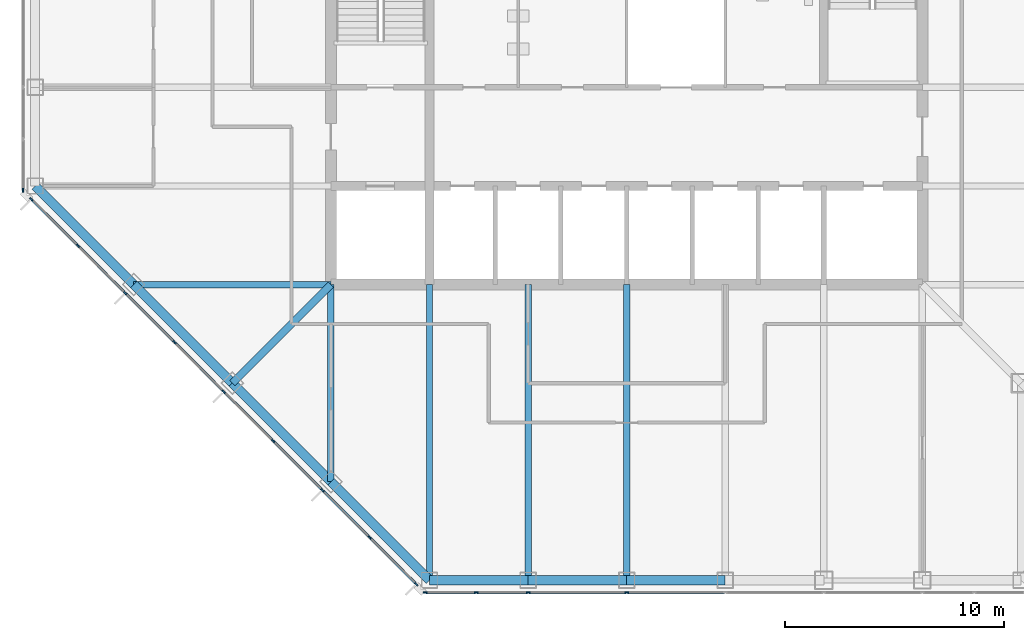
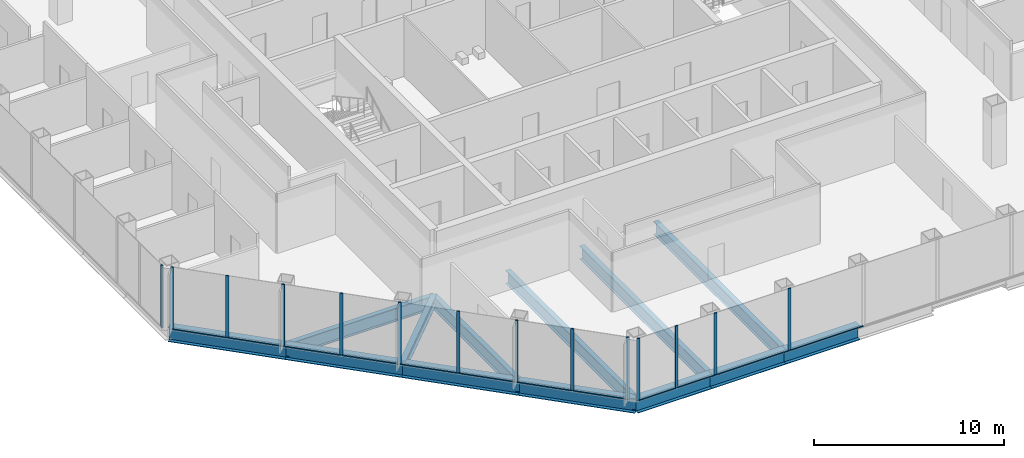
# One storey, part 2 of 13: 26 members, 13 beams, 3 elements without a shape of their own.
"""IFC4 building model written with IfcOpenShell, lengths in metres."""

from ifc_helpers import new_model, si_unit, direction, frame, origin, origin_2d, place, context, subcontext, project, spatial, rectangle, i_section, extrude, material, material_profile, profile_set, type_object, element, aggregate, save


model = new_model("IFC4")

# Units and contexts
model_context = context("Model", 3, precision=1e-05, world=origin(), true_north=direction((0.0, 1.0)))
body_context = subcontext(model_context, "Body", "Model", "MODEL_VIEW")
ifc_project = project(units=[si_unit("LENGTHUNIT", "METRE"), si_unit("AREAUNIT", "SQUARE_METRE"), si_unit("VOLUMEUNIT", "CUBIC_METRE"), si_unit("PLANEANGLEUNIT", "RADIAN"), si_unit("MASSUNIT", "GRAM", prefix="KILO")], contexts=[model_context])

# Site, building, storey
site_placement = place(None, origin())
site = spatial("IfcSite", under=ifc_project, at=site_placement, CompositionType="ELEMENT")
building_placement = place(site_placement, origin())
building = spatial("IfcBuilding", under=site, at=building_placement, Name="Corais Broadcast Tower", CompositionType="ELEMENT")
storey_placement = place(building_placement, frame((0.0, 0.0, 191.60009765625)))
storey = spatial("IfcBuildingStorey", under=building, at=storey_placement, Name="L44", CompositionType="ELEMENT", Elevation=191.60009765625)

# Beams
ifc_material_1 = material(Name="Steel ASTM A572 Grade 50", Category="steel")
ifc_material_profile_1 = material_profile(ifc_material_1, i_section(OverallWidth=0.323974609375, OverallDepth=0.611083984375, WebThickness=0.0126953125, FlangeThickness=0.01904296875, at=origin_2d()), Name="W610x155")
ifc_profile_set_1 = profile_set([ifc_material_profile_1], Name="Steel ASTM A572 Grade 50")
beam_type_1 = type_object("IfcBeamType", Name="Corner diagonal W610x155", PredefinedType="BEAM", material=ifc_profile_set_1)
beam_1_placement = place(storey_placement, frame((9.0, 9.0, -0.465576171875), z_axis=(0.707106781187, 0.707106781187, 0.0), x_axis=(-0.707106781187, 0.707106781187, 0.0)))
element("IfcBeam", 1, at=beam_1_placement, inside=storey, type_object=beam_type_1, Name="B6 C/5 to D/6", PredefinedType="BEAM", context=body_context, shape_type="SweptSolid", body=[
    extrude(i_section(OverallWidth=0.323974609375, OverallDepth=0.611083984375, WebThickness=0.0126953125, FlangeThickness=0.01904296875, at=origin_2d()), origin(), (0.0, 0.0, 1.0), 6.364013671875),
])
ifc_material_2 = material(Name="Steel ASTM A572 Grade 50", Category="steel")
ifc_material_profile_2 = material_profile(ifc_material_2, i_section(OverallWidth=0.2939453125, OverallDepth=0.85107421875, WebThickness=0.01611328125, FlangeThickness=0.02685546875, at=origin_2d()), Name="W840x226")
ifc_profile_set_2 = profile_set([ifc_material_profile_2], Name="Steel ASTM A572 Grade 50")
beam_type_2 = type_object("IfcBeamType", Name="Floor beam W840x226", PredefinedType="BEAM", material=ifc_profile_set_2)
beam_2_placement = place(storey_placement, frame((13.5, 4.5, -0.585693359375), z_axis=(0.0, 1.0, 0.0), x_axis=(-1.0, 0.0, 0.0)))
element("IfcBeam", 2, at=beam_2_placement, inside=storey, type_object=beam_type_2, Name="B1 B/6 to D/6", PredefinedType="BEAM", context=body_context, shape_type="SweptSolid", body=[
    extrude(i_section(OverallWidth=0.2939453125, OverallDepth=0.85107421875, WebThickness=0.01611328125, FlangeThickness=0.02685546875, at=origin_2d()), origin(), (0.0, 0.0, 1.0), 9.0),
])
for number, where, z_axis, x_axis, name in (
    (3, (18.0, 0.0, -0.585693359375), (0.0, 1.0, 0.0), (-1.0, 0.0, 0.0), "B1 A/7 to D/7"),
    (4, (22.5, 0.0, -0.585693359375), (0.0, 1.0, 0.0), (-1.0, 0.0, 0.0), "B1 A/8 to D/8"),
    (5, (27.0, 0.0, -0.585693359375), (0.0, 1.0, 0.0), (-1.0, 0.0, 0.0), "B1 A/9 to D/9"),
):
    element("IfcBeam", number, at=place(storey_placement, frame(where, z_axis=z_axis, x_axis=x_axis)), inside=storey, type_object=beam_type_2, Name=name, PredefinedType="BEAM", context=body_context, shape_type="SweptSolid", body=[
        extrude(i_section(OverallWidth=0.2939453125, OverallDepth=0.85107421875, WebThickness=0.01611328125, FlangeThickness=0.02685546875, at=origin_2d()), origin(), (0.0, 0.0, 1.0), 13.5),
    ])
beam_3_placement = place(storey_placement, frame((4.5, 13.5, -0.585693359375), z_axis=(1.0, 0.0, 0.0), x_axis=(0.0, 1.0, 0.0)))
element("IfcBeam", 6, at=beam_3_placement, inside=storey, type_object=beam_type_2, Name="B1 D/4 to D/6", PredefinedType="BEAM", context=body_context, shape_type="SweptSolid", body=[
    extrude(i_section(OverallWidth=0.2939453125, OverallDepth=0.85107421875, WebThickness=0.01611328125, FlangeThickness=0.02685546875, at=origin_2d()), origin(), (0.0, 0.0, 1.0), 9.0),
])

# Curtain wall, members
ifc_material_3 = material(Name="Aluminium and glass", Category="aluminium")
curtain_wall_type = type_object("IfcCurtainWallType", Name="Unitised fritted curtain wall CW2", PredefinedType="NOTDEFINED", material=ifc_material_3)
curtain_wall_1_placement = place(storey_placement, origin())
curtain_wall_1 = element("IfcCurtainWall", 7, at=curtain_wall_1_placement, inside=storey, type_object=curtain_wall_type, Name="CW2 curtain wall L44 1", PredefinedType="NOTDEFINED")
ifc_material_4 = material(Name="Aluminium 6063-T6", Category="aluminium")
ifc_material_profile_3 = material_profile(ifc_material_4, rectangle(XDim=0.06494140625, YDim=0.179931640625, at=origin_2d()), Name="Mullion CW2 65x180")
ifc_profile_set_3 = profile_set([ifc_material_profile_3], Name="Aluminium 6063-T6")
member_type_1 = type_object("IfcMemberType", Name="Mullion CW2 65x180", PredefinedType="MULLION", material=ifc_profile_set_3)
member_1_placement = place(storey_placement, frame((17.3955078125, -0.17333984375, 0.0), z_axis=(0.0, 0.0, 1.0), x_axis=(-0.707106781187, -0.707106781187, 0.0)))
member_1 = element("IfcMember", 8, at=member_1_placement, type_object=member_type_1, Name="CW2 mullion 1", PredefinedType="MULLION", context=body_context, shape_type="SweptSolid", body=[
    extrude(rectangle(XDim=0.06494140625, YDim=0.179931640625, at=origin_2d()), origin(), (0.0, 0.0, 1.0), 4.0),
])
member_2_placement = place(storey_placement, frame((15.264892578125, 1.957275390625, 0.0), z_axis=(0.0, 0.0, 1.0), x_axis=(-0.707106781187, -0.707106781187, 0.0)))
member_2 = element("IfcMember", 9, at=member_2_placement, type_object=member_type_1, Name="CW2 mullion 2", PredefinedType="MULLION", context=body_context, shape_type="SweptSolid", body=[
    extrude(rectangle(XDim=0.06494140625, YDim=0.179931640625, at=origin_2d()), origin(), (0.0, 0.0, 1.0), 4.0),
])
member_3_placement = place(storey_placement, frame((13.111083984375, 4.111083984375, 0.0), z_axis=(0.0, 0.0, 1.0), x_axis=(-0.707106781187, -0.707106781187, 0.0)))
member_3 = element("IfcMember", 10, at=member_3_placement, type_object=member_type_1, Name="CW2 mullion 3", PredefinedType="MULLION", context=body_context, shape_type="SweptSolid", body=[
    extrude(rectangle(XDim=0.06494140625, YDim=0.179931640625, at=origin_2d()), origin(), (0.0, 0.0, 1.0), 4.0),
])
member_4_placement = place(storey_placement, frame((10.861083984375, 6.361083984375, 0.0), z_axis=(0.0, 0.0, 1.0), x_axis=(-0.707106781187, -0.707106781187, 0.0)))
member_4 = element("IfcMember", 11, at=member_4_placement, type_object=member_type_1, Name="CW2 mullion 4", PredefinedType="MULLION", context=body_context, shape_type="SweptSolid", body=[
    extrude(rectangle(XDim=0.06494140625, YDim=0.179931640625, at=origin_2d()), origin(), (0.0, 0.0, 1.0), 4.0),
])
member_5_placement = place(storey_placement, frame((8.611083984375, 8.611083984375, 0.0), z_axis=(0.0, 0.0, 1.0), x_axis=(-0.707106781187, -0.707106781187, 0.0)))
member_5 = element("IfcMember", 12, at=member_5_placement, type_object=member_type_1, Name="CW2 mullion 5", PredefinedType="MULLION", context=body_context, shape_type="SweptSolid", body=[
    extrude(rectangle(XDim=0.06494140625, YDim=0.179931640625, at=origin_2d()), origin(), (0.0, 0.0, 1.0), 4.0),
])
member_6_placement = place(storey_placement, frame((6.361083984375, 10.861083984375, 0.0), z_axis=(0.0, 0.0, 1.0), x_axis=(-0.707106781187, -0.707106781187, 0.0)))
member_6 = element("IfcMember", 13, at=member_6_placement, type_object=member_type_1, Name="CW2 mullion 6", PredefinedType="MULLION", context=body_context, shape_type="SweptSolid", body=[
    extrude(rectangle(XDim=0.06494140625, YDim=0.179931640625, at=origin_2d()), origin(), (0.0, 0.0, 1.0), 4.0),
])
member_7_placement = place(storey_placement, frame((4.111083984375, 13.111083984375, 0.0), z_axis=(0.0, 0.0, 1.0), x_axis=(-0.707106781187, -0.707106781187, 0.0)))
member_7 = element("IfcMember", 14, at=member_7_placement, type_object=member_type_1, Name="CW2 mullion 7", PredefinedType="MULLION", context=body_context, shape_type="SweptSolid", body=[
    extrude(rectangle(XDim=0.06494140625, YDim=0.179931640625, at=origin_2d()), origin(), (0.0, 0.0, 1.0), 4.0),
])
member_8_placement = place(storey_placement, frame((1.957275390625, 15.264892578125, 0.0), z_axis=(0.0, 0.0, 1.0), x_axis=(-0.707106781187, -0.707106781187, 0.0)))
member_8 = element("IfcMember", 15, at=member_8_placement, type_object=member_type_1, Name="CW2 mullion 8", PredefinedType="MULLION", context=body_context, shape_type="SweptSolid", body=[
    extrude(rectangle(XDim=0.06494140625, YDim=0.179931640625, at=origin_2d()), origin(), (0.0, 0.0, 1.0), 4.0),
])
member_9_placement = place(storey_placement, frame((-0.17333984375, 17.3955078125, 0.0), z_axis=(0.0, 0.0, 1.0), x_axis=(-0.707106781187, -0.707106781187, 0.0)))
member_9 = element("IfcMember", 16, at=member_9_placement, type_object=member_type_1, Name="CW2 mullion 9", PredefinedType="MULLION", context=body_context, shape_type="SweptSolid", body=[
    extrude(rectangle(XDim=0.06494140625, YDim=0.179931640625, at=origin_2d()), origin(), (0.0, 0.0, 1.0), 4.0),
])

# Curtain wall, member
curtain_wall_2_placement = place(storey_placement, origin())
curtain_wall_2 = element("IfcCurtainWall", 17, at=curtain_wall_2_placement, inside=storey, type_object=curtain_wall_type, Name="CW2 curtain wall L44 2", PredefinedType="NOTDEFINED")
member_10_placement = place(storey_placement, frame((-0.550048828125, 17.8046875, 0.0), z_axis=(0.0, 0.0, 1.0), x_axis=(-1.0, 0.0, 0.0)))
member_10 = element("IfcMember", 18, at=member_10_placement, type_object=member_type_1, Name="CW2 mullion 1", PredefinedType="MULLION", context=body_context, shape_type="SweptSolid", body=[
    extrude(rectangle(XDim=0.06494140625, YDim=0.179931640625, at=origin_2d()), origin(), (0.0, 0.0, 1.0), 4.0),
])
aggregate(curtain_wall_2, [member_10])

# Curtain wall, members
curtain_wall_3_placement = place(storey_placement, origin())
curtain_wall_3 = element("IfcCurtainWall", 19, at=curtain_wall_3_placement, inside=storey, type_object=curtain_wall_type, Name="CW2 curtain wall L44 8", PredefinedType="NOTDEFINED")
member_11_placement = place(storey_placement, frame((27.0, -0.550048828125, 0.0), z_axis=(0.0, 0.0, 1.0), x_axis=(0.0, -1.0, 0.0)))
member_11 = element("IfcMember", 20, at=member_11_placement, type_object=member_type_1, Name="CW2 mullion 6", PredefinedType="MULLION", context=body_context, shape_type="SweptSolid", body=[
    extrude(rectangle(XDim=0.06494140625, YDim=0.179931640625, at=origin_2d()), origin(), (0.0, 0.0, 1.0), 4.0),
])
member_12_placement = place(storey_placement, frame((22.5, -0.550048828125, 0.0), z_axis=(0.0, 0.0, 1.0), x_axis=(0.0, -1.0, 0.0)))
member_12 = element("IfcMember", 21, at=member_12_placement, type_object=member_type_1, Name="CW2 mullion 7", PredefinedType="MULLION", context=body_context, shape_type="SweptSolid", body=[
    extrude(rectangle(XDim=0.06494140625, YDim=0.179931640625, at=origin_2d()), origin(), (0.0, 0.0, 1.0), 4.0),
])
member_13_placement = place(storey_placement, frame((20.135986328125, -0.550048828125, 0.0), z_axis=(0.0, 0.0, 1.0), x_axis=(0.0, -1.0, 0.0)))
member_13 = element("IfcMember", 22, at=member_13_placement, type_object=member_type_1, Name="CW2 mullion 8", PredefinedType="MULLION", context=body_context, shape_type="SweptSolid", body=[
    extrude(rectangle(XDim=0.06494140625, YDim=0.179931640625, at=origin_2d()), origin(), (0.0, 0.0, 1.0), 4.0),
])
member_14_placement = place(storey_placement, frame((17.8046875, -0.550048828125, 0.0), z_axis=(0.0, 0.0, 1.0), x_axis=(0.0, -1.0, 0.0)))
member_14 = element("IfcMember", 23, at=member_14_placement, type_object=member_type_1, Name="CW2 mullion 9", PredefinedType="MULLION", context=body_context, shape_type="SweptSolid", body=[
    extrude(rectangle(XDim=0.06494140625, YDim=0.179931640625, at=origin_2d()), origin(), (0.0, 0.0, 1.0), 4.0),
])

# Beams
ifc_material_5 = material(Name="Steel ASTM A572 Grade 50", Category="steel")
ifc_material_profile_4 = material_profile(ifc_material_5, i_section(OverallWidth=0.4189453125, OverallDepth=0.94189453125, WebThickness=0.022216796875, FlangeThickness=0.03662109375, at=origin_2d()), Name="W920x345")
ifc_profile_set_4 = profile_set([ifc_material_profile_4], Name="Steel ASTM A572 Grade 50")
beam_type_3 = type_object("IfcBeamType", Name="Transfer spandrel W920x345", PredefinedType="BEAM", material=ifc_profile_set_4)
for number, where, z_axis, x_axis, name in (
    (24, (0.0, 18.0, -0.631103515625), (0.707106781187, -0.707106781187, 0.0), (0.707106781187, 0.707106781187, 0.0), "SB4 E/3 to D/4"),
    (25, (13.5, 4.5, -0.631103515625), (0.707106781187, -0.707106781187, 0.0), (0.707106781187, 0.707106781187, 0.0), "SB4 B/6 to A/7"),
):
    element("IfcBeam", number, at=place(storey_placement, frame(where, z_axis=z_axis, x_axis=x_axis)), inside=storey, type_object=beam_type_3, Name=name, PredefinedType="BEAM", context=body_context, shape_type="SweptSolid", body=[
        extrude(i_section(OverallWidth=0.4189453125, OverallDepth=0.94189453125, WebThickness=0.022216796875, FlangeThickness=0.03662109375, at=origin_2d()), origin(), (0.0, 0.0, 1.0), 6.364013671875),
    ])
for number, where, z_axis, x_axis, name in (
    (26, (18.0, 0.0, -0.631103515625), (1.0, 0.0, 0.0), (0.0, 1.0, 0.0), "SB4 A/7 to A/8"),
    (27, (22.5, 0.0, -0.631103515625), (1.0, 0.0, 0.0), (0.0, 1.0, 0.0), "SB4 A/8 to A/9"),
    (28, (27.0, 0.0, -0.631103515625), (1.0, 0.0, 0.0), (0.0, 1.0, 0.0), "SB4 A/9 to A/10"),
):
    element("IfcBeam", number, at=place(storey_placement, frame(where, z_axis=z_axis, x_axis=x_axis)), inside=storey, type_object=beam_type_3, Name=name, PredefinedType="BEAM", context=body_context, shape_type="SweptSolid", body=[
        extrude(i_section(OverallWidth=0.4189453125, OverallDepth=0.94189453125, WebThickness=0.022216796875, FlangeThickness=0.03662109375, at=origin_2d()), origin(), (0.0, 0.0, 1.0), 4.5),
    ])
for number, where, z_axis, x_axis, name in (
    (29, (4.5, 13.5, -0.631103515625), (0.707106781187, -0.707106781187, 0.0), (0.707106781187, 0.707106781187, 0.0), "SB4 D/4 to C/5"),
    (30, (9.0, 9.0, -0.631103515625), (0.707106781187, -0.707106781187, 0.0), (0.707106781187, 0.707106781187, 0.0), "SB4 C/5 to B/6"),
):
    element("IfcBeam", number, at=place(storey_placement, frame(where, z_axis=z_axis, x_axis=x_axis)), inside=storey, type_object=beam_type_3, Name=name, PredefinedType="BEAM", context=body_context, shape_type="SweptSolid", body=[
        extrude(i_section(OverallWidth=0.4189453125, OverallDepth=0.94189453125, WebThickness=0.022216796875, FlangeThickness=0.03662109375, at=origin_2d()), origin(), (0.0, 0.0, 1.0), 6.364013671875),
    ])

# Member
ifc_material_6 = material(Name="Aluminium 6063-T6", Category="aluminium")
ifc_material_profile_5 = material_profile(ifc_material_6, rectangle(XDim=0.1298828125, YDim=0.06494140625, at=origin_2d()), Name="Transom CW2 65x130")
ifc_profile_set_5 = profile_set([ifc_material_profile_5], Name="Aluminium 6063-T6")
member_type_2 = type_object("IfcMemberType", Name="Transom CW2 65x130", PredefinedType="USERDEFINED", material=ifc_profile_set_5)
member_15_placement = place(storey_placement, frame((17.37255859375, -0.150390625, 0.032470703125), z_axis=(-0.707106781187, 0.707106781187, 0.0), x_axis=(-0.707106781187, -0.707106781187, 0.0)))
member_15 = element("IfcMember", 31, at=member_15_placement, type_object=member_type_2, Name="CW2 transom 1.1", ObjectType="TRANSOM", PredefinedType="USERDEFINED", context=body_context, shape_type="SweptSolid", body=[
    extrude(rectangle(XDim=0.1298828125, YDim=0.06494140625, at=origin_2d()), origin(), (0.0, 0.0, 1.0), 2.9482421875),
])

member_16_placement = place(storey_placement, frame((15.241943359375, 1.980224609375, 0.032470703125), z_axis=(-0.707106781187, 0.707106781187, 0.0), x_axis=(-0.707106781187, -0.707106781187, 0.0)))
member_16 = element("IfcMember", 32, at=member_16_placement, type_object=member_type_2, Name="CW2 transom 2.1", ObjectType="TRANSOM", PredefinedType="USERDEFINED", context=body_context, shape_type="SweptSolid", body=[
    extrude(rectangle(XDim=0.1298828125, YDim=0.06494140625, at=origin_2d()), origin(), (0.0, 0.0, 1.0), 2.98095703125),
])

member_17_placement = place(storey_placement, frame((13.088134765625, 4.134033203125, 0.032470703125), z_axis=(-0.707106781187, 0.707106781187, 0.0), x_axis=(-0.707106781187, -0.707106781187, 0.0)))
member_17 = element("IfcMember", 33, at=member_17_placement, type_object=member_type_2, Name="CW2 transom 3.1", ObjectType="TRANSOM", PredefinedType="USERDEFINED", context=body_context, shape_type="SweptSolid", body=[
    extrude(rectangle(XDim=0.1298828125, YDim=0.06494140625, at=origin_2d()), origin(), (0.0, 0.0, 1.0), 3.1171875),
])

member_18_placement = place(storey_placement, frame((10.838134765625, 6.384033203125, 0.032470703125), z_axis=(-0.707106781187, 0.707106781187, 0.0), x_axis=(-0.707106781187, -0.707106781187, 0.0)))
member_18 = element("IfcMember", 34, at=member_18_placement, type_object=member_type_2, Name="CW2 transom 4.1", ObjectType="TRANSOM", PredefinedType="USERDEFINED", context=body_context, shape_type="SweptSolid", body=[
    extrude(rectangle(XDim=0.1298828125, YDim=0.06494140625, at=origin_2d()), origin(), (0.0, 0.0, 1.0), 3.1171875),
])

member_19_placement = place(storey_placement, frame((8.588134765625, 8.634033203125, 0.032470703125), z_axis=(-0.707106781187, 0.707106781187, 0.0), x_axis=(-0.707106781187, -0.707106781187, 0.0)))
member_19 = element("IfcMember", 35, at=member_19_placement, type_object=member_type_2, Name="CW2 transom 5.1", ObjectType="TRANSOM", PredefinedType="USERDEFINED", context=body_context, shape_type="SweptSolid", body=[
    extrude(rectangle(XDim=0.1298828125, YDim=0.06494140625, at=origin_2d()), origin(), (0.0, 0.0, 1.0), 3.1171875),
])

member_20_placement = place(storey_placement, frame((6.338134765625, 10.884033203125, 0.032470703125), z_axis=(-0.707106781187, 0.707106781187, 0.0), x_axis=(-0.707106781187, -0.707106781187, 0.0)))
member_20 = element("IfcMember", 36, at=member_20_placement, type_object=member_type_2, Name="CW2 transom 6.1", ObjectType="TRANSOM", PredefinedType="USERDEFINED", context=body_context, shape_type="SweptSolid", body=[
    extrude(rectangle(XDim=0.1298828125, YDim=0.06494140625, at=origin_2d()), origin(), (0.0, 0.0, 1.0), 3.1171875),
])

member_21_placement = place(storey_placement, frame((4.088134765625, 13.134033203125, 0.032470703125), z_axis=(-0.707065828661, 0.70714773134, 0.0), x_axis=(-0.70714773134, -0.707065828661, 0.0)))
member_21 = element("IfcMember", 37, at=member_21_placement, type_object=member_type_2, Name="CW2 transom 7.1", ObjectType="TRANSOM", PredefinedType="USERDEFINED", context=body_context, shape_type="SweptSolid", body=[
    extrude(rectangle(XDim=0.1298828125, YDim=0.06494140625, at=origin_2d()), origin(), (0.0, 0.0, 1.0), 2.98095703125),
])

member_22_placement = place(storey_placement, frame((1.934326171875, 15.287841796875, 0.032470703125), z_axis=(-0.707106781187, 0.707106781187, 0.0), x_axis=(-0.707106781187, -0.707106781187, 0.0)))
member_22 = element("IfcMember", 38, at=member_22_placement, type_object=member_type_2, Name="CW2 transom 8.1", ObjectType="TRANSOM", PredefinedType="USERDEFINED", context=body_context, shape_type="SweptSolid", body=[
    extrude(rectangle(XDim=0.1298828125, YDim=0.06494140625, at=origin_2d()), origin(), (0.0, 0.0, 1.0), 2.9482421875),
])

aggregate(curtain_wall_1, [member_1, member_2, member_3, member_4, member_5, member_6, member_7, member_8, member_9, member_15, member_16, member_17, member_18, member_19, member_20, member_21, member_22])

member_23_placement = place(storey_placement, frame((31.467529296875, -0.550048828125, 0.032470703125), z_axis=(-1.0, 0.0, 0.0), x_axis=(0.0, -1.0, 0.0)))
member_23 = element("IfcMember", 39, at=member_23_placement, type_object=member_type_2, Name="CW2 transom 5.1", ObjectType="TRANSOM", PredefinedType="USERDEFINED", context=body_context, shape_type="SweptSolid", body=[
    extrude(rectangle(XDim=0.1298828125, YDim=0.06494140625, at=origin_2d()), origin(), (0.0, 0.0, 1.0), 4.43505859375),
])

member_24_placement = place(storey_placement, frame((26.967529296875, -0.550048828125, 0.032470703125), z_axis=(-1.0, 0.0, 0.0), x_axis=(0.0, -1.0, 0.0)))
member_24 = element("IfcMember", 40, at=member_24_placement, type_object=member_type_2, Name="CW2 transom 6.1", ObjectType="TRANSOM", PredefinedType="USERDEFINED", context=body_context, shape_type="SweptSolid", body=[
    extrude(rectangle(XDim=0.1298828125, YDim=0.06494140625, at=origin_2d()), origin(), (0.0, 0.0, 1.0), 4.43505859375),
])

member_25_placement = place(storey_placement, frame((22.467529296875, -0.550048828125, 0.032470703125), z_axis=(-1.0, 0.0, 0.0), x_axis=(0.0, -1.0, 0.0)))
member_25 = element("IfcMember", 41, at=member_25_placement, type_object=member_type_2, Name="CW2 transom 7.1", ObjectType="TRANSOM", PredefinedType="USERDEFINED", context=body_context, shape_type="SweptSolid", body=[
    extrude(rectangle(XDim=0.1298828125, YDim=0.06494140625, at=origin_2d()), origin(), (0.0, 0.0, 1.0), 2.298828125),
])

member_26_placement = place(storey_placement, frame((20.103515625, -0.550048828125, 0.032470703125), z_axis=(-1.0, 0.0, 0.0), x_axis=(0.0, -1.0, 0.0)))
member_26 = element("IfcMember", 42, at=member_26_placement, type_object=member_type_2, Name="CW2 transom 8.1", ObjectType="TRANSOM", PredefinedType="USERDEFINED", context=body_context, shape_type="SweptSolid", body=[
    extrude(rectangle(XDim=0.1298828125, YDim=0.06494140625, at=origin_2d()), origin(), (0.0, 0.0, 1.0), 2.266357421875),
])

aggregate(curtain_wall_3, [member_11, member_12, member_13, member_14, member_23, member_24, member_25, member_26])

save(model, "model.ifc")
